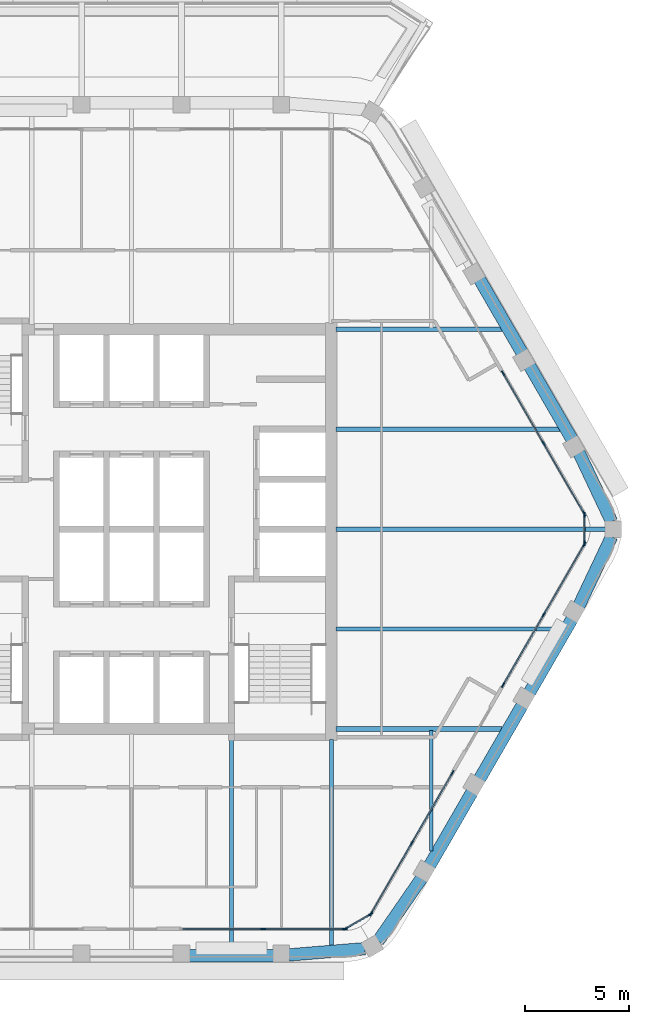
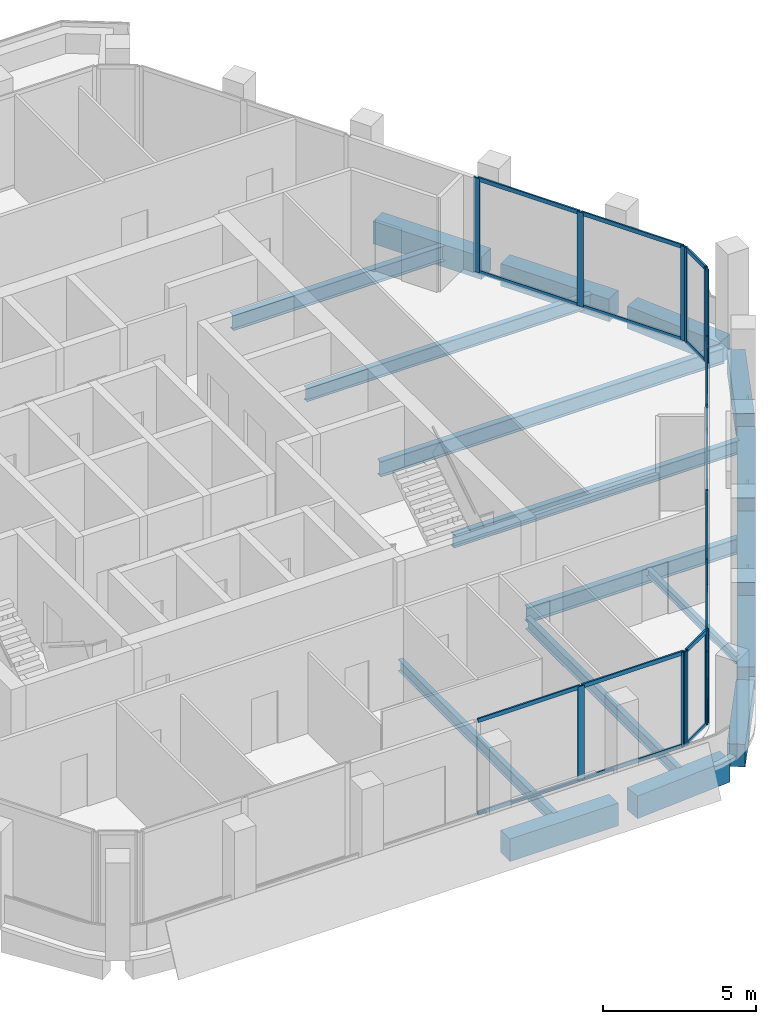
# One storey, part 4 of 16: 35 members, 18 beams, 6 elements without a shape of their own.
"""IFC4 building model written with IfcOpenShell, lengths in metres."""

from ifc_helpers import new_model, si_unit, direction, frame, origin, origin_2d, place, context, subcontext, project, spatial, rectangle, i_section, extrude, material, material_profile, profile_set, type_object, element, aggregate, save


model = new_model("IFC4")

# Units and contexts
model_context = context("Model", 3, precision=1e-05, world=origin(), true_north=direction((0.0, 1.0)))
body_context = subcontext(model_context, "Body", "Model", "MODEL_VIEW")
ifc_project = project(units=[si_unit("LENGTHUNIT", "METRE"), si_unit("AREAUNIT", "SQUARE_METRE"), si_unit("VOLUMEUNIT", "CUBIC_METRE"), si_unit("PLANEANGLEUNIT", "RADIAN"), si_unit("MASSUNIT", "GRAM", prefix="KILO")], contexts=[model_context])

# Site, building, storey
site_placement = place(None, origin())
site = spatial("IfcSite", under=ifc_project, at=site_placement, CompositionType="ELEMENT")
building_placement = place(site_placement, origin())
building = spatial("IfcBuilding", under=site, at=building_placement, Name="Kolab Exchange Tower", CompositionType="ELEMENT")
storey_placement = place(building_placement, frame((0.0, 0.0, 254.0)))
storey = spatial("IfcBuildingStorey", under=building, at=storey_placement, Name="L56", CompositionType="ELEMENT", Elevation=254.0)

# Beams
ifc_material_1 = material(Name="Steel S355", Category="steel")
ifc_material_profile_1 = material_profile(ifc_material_1, i_section(OverallWidth=0.1650390625, OverallDepth=0.31005859375, WebThickness=0.005859375, FlangeThickness=0.009765625, at=origin_2d()), Name="W310X39")
ifc_profile_set_1 = profile_set([ifc_material_profile_1], Name="Steel S355")
beam_type_1 = type_object("IfcBeamType", Name="FLOOR BEAM W310X39", PredefinedType="BEAM", material=ifc_profile_set_1)
beam_1_placement = place(storey_placement, frame((14.39990234375, -15.4677734375, -0.304931640625), z_axis=(0.0, 1.0, 0.0), x_axis=(-1.0, 0.0, 0.0)))
element("IfcBeam", 1, at=beam_1_placement, inside=storey, type_object=beam_type_1, Name="beam/L56/fr/023", PredefinedType="BEAM", context=body_context, shape_type="SweptSolid", body=[
    extrude(i_section(OverallWidth=0.1650390625, OverallDepth=0.31005859375, WebThickness=0.005859375, FlangeThickness=0.009765625, at=origin_2d()), origin(), (0.0, 0.0, 1.0), 5.793701171875),
])
ifc_material_profile_2 = material_profile(ifc_material_1, i_section(OverallWidth=0.18994140625, OverallDepth=0.45703125, WebThickness=0.009033203125, FlangeThickness=0.014404296875, at=origin_2d()), Name="W460X74")
ifc_profile_set_2 = profile_set([ifc_material_profile_2], Name="Steel S355")
beam_type_2 = type_object("IfcBeamType", Name="FLOOR BEAM W460X74", PredefinedType="BEAM", material=ifc_profile_set_2)
beam_2_placement = place(storey_placement, frame((4.800048828125, -20.224609375, -0.37841796875), z_axis=(0.0, 1.0, 0.0), x_axis=(-1.0, 0.0, 0.0)))
element("IfcBeam", 2, at=beam_2_placement, inside=storey, type_object=beam_type_2, Name="beam/L56/fr/016", PredefinedType="BEAM", context=body_context, shape_type="SweptSolid", body=[
    extrude(i_section(OverallWidth=0.18994140625, OverallDepth=0.45703125, WebThickness=0.009033203125, FlangeThickness=0.014404296875, at=origin_2d()), origin(), (0.0, 0.0, 1.0), 10.114501953125),
])
beam_3_placement = place(storey_placement, frame((9.60009765625, -20.027099609375, -0.37841796875), z_axis=(0.0, 1.0, 0.0), x_axis=(-1.0, 0.0, 0.0)))
element("IfcBeam", 3, at=beam_3_placement, inside=storey, type_object=beam_type_2, Name="beam/L56/fr/018", PredefinedType="BEAM", context=body_context, shape_type="SweptSolid", body=[
    extrude(i_section(OverallWidth=0.18994140625, OverallDepth=0.45703125, WebThickness=0.009033203125, FlangeThickness=0.014404296875, at=origin_2d()), origin(), (0.0, 0.0, 1.0), 9.9169921875),
])
ifc_material_profile_3 = material_profile(ifc_material_1, i_section(OverallWidth=0.208984375, OverallDepth=0.532958984375, WebThickness=0.01025390625, FlangeThickness=0.015625, at=origin_2d()), Name="W530X92")
ifc_profile_set_3 = profile_set([ifc_material_profile_3], Name="Steel S355")
beam_type_3 = type_object("IfcBeamType", Name="FLOOR BEAM W530X92", PredefinedType="BEAM", material=ifc_profile_set_3)
for number, where, z_axis, x_axis, name in (
    (4, (9.8349609375, -4.800048828125, -0.41650390625), (1.0, 0.0, 0.0), (0.0, 1.0, 0.0), "beam/L56/fr/020"),
    (5, (9.8349609375, 4.800048828125, -0.41650390625), (1.0, 0.0, 0.0), (0.0, 1.0, 0.0), "beam/L56/fr/022"),
):
    element("IfcBeam", number, at=place(storey_placement, frame(where, z_axis=z_axis, x_axis=x_axis)), inside=storey, type_object=beam_type_3, Name=name, PredefinedType="BEAM", context=body_context, shape_type="SweptSolid", body=[
        extrude(i_section(OverallWidth=0.208984375, OverallDepth=0.532958984375, WebThickness=0.01025390625, FlangeThickness=0.015625, at=origin_2d()), origin(), (0.0, 0.0, 1.0), 10.740966796875),
    ])
ifc_material_profile_4 = material_profile(ifc_material_1, i_section(OverallWidth=0.22802734375, OverallDepth=0.60791015625, WebThickness=0.01123046875, FlangeThickness=0.017333984375, at=origin_2d()), Name="W610X113")
ifc_profile_set_4 = profile_set([ifc_material_profile_4], Name="Steel S355")
beam_type_4 = type_object("IfcBeamType", Name="FLOOR BEAM W610X113", PredefinedType="BEAM", material=ifc_profile_set_4)
beam_4_placement = place(storey_placement, frame((9.8349609375, 0.0, -0.4541015625), z_axis=(1.0, 0.0, 0.0), x_axis=(0.0, 1.0, 0.0)))
element("IfcBeam", 6, at=beam_4_placement, inside=storey, type_object=beam_type_4, Name="beam/L56/fr/021", PredefinedType="BEAM", context=body_context, shape_type="SweptSolid", body=[
    extrude(i_section(OverallWidth=0.22802734375, OverallDepth=0.60791015625, WebThickness=0.01123046875, FlangeThickness=0.017333984375, at=origin_2d()), origin(), (0.0, 0.0, 1.0), 12.94091796875),
])
ifc_material_profile_5 = material_profile(ifc_material_1, i_section(OverallWidth=0.22802734375, OverallDepth=0.60791015625, WebThickness=0.01123046875, FlangeThickness=0.017333984375, at=origin_2d()), Name="W610X113")
ifc_profile_set_5 = profile_set([ifc_material_profile_5], Name="Steel S355")
beam_type_5 = type_object("IfcBeamType", Name="FLOOR GIRDER W610X113", PredefinedType="BEAM", material=ifc_profile_set_5)
for number, where, z_axis, x_axis, name in (
    (7, (9.8349609375, -9.60009765625, -0.4541015625), (1.0, 0.0, 0.0), (0.0, 1.0, 0.0), "beam/L56/gd/002"),
    (8, (9.8349609375, 9.60009765625, -0.4541015625), (1.0, 0.0, 0.0), (0.0, 1.0, 0.0), "beam/L56/gd/003"),
):
    element("IfcBeam", number, at=place(storey_placement, frame(where, z_axis=z_axis, x_axis=x_axis)), inside=storey, type_object=beam_type_5, Name=name, PredefinedType="BEAM", context=body_context, shape_type="SweptSolid", body=[
        extrude(i_section(OverallWidth=0.22802734375, OverallDepth=0.60791015625, WebThickness=0.01123046875, FlangeThickness=0.017333984375, at=origin_2d()), origin(), (0.0, 0.0, 1.0), 7.9697265625),
    ])
ifc_material_2 = material(Name="Concrete C50/60", Category="concrete")
ifc_material_profile_6 = material_profile(ifc_material_2, rectangle(XDim=0.60009765625, YDim=0.89990234375, at=origin_2d()), Name="RC600X900")
ifc_profile_set_6 = profile_set([ifc_material_profile_6], Name="Concrete C50/60")
beam_type_6 = type_object("IfcBeamType", Name="SPANDREL BEAM 600X900 C50/60", PredefinedType="BEAM", material=ifc_profile_set_6)
for number, where, z_axis, x_axis, name in (
    (9, (16.72021484375, 12.009033203125, -0.60009765625), (0.500000428765, -0.866025156237, 0.0), (0.866025156237, 0.500000428765, 0.0), "beam/L56/sp/F2-03"),
    (10, (19.1201171875, 7.85205078125, -0.60009765625), (0.500000428765, -0.866025156237, 0.0), (0.866025156237, 0.500000428765, 0.0), "beam/L56/sp/F2-04"),
):
    element("IfcBeam", number, at=place(storey_placement, frame(where, z_axis=z_axis, x_axis=x_axis)), inside=storey, type_object=beam_type_6, Name=name, PredefinedType="BEAM", context=body_context, shape_type="SweptSolid", body=[
        extrude(rectangle(XDim=0.60009765625, YDim=0.89990234375, at=origin_2d()), origin(), (0.0, 0.0, 1.0), 4.080078125),
    ])
for number, where, z_axis, x_axis, name in (
    (11, (21.49462890625, 3.68017578125, -0.60009765625), (0.427677251998, -0.903931506323, 0.0), (0.903931506323, 0.427677251998, 0.0), "beam/L56/sp/F2-05"),
    (12, (23.063720703125, -0.36376953125, -0.60009765625), (-0.427677251998, -0.903931506323, 0.0), (0.903931506323, -0.427677251998, 0.0), "beam/L56/sp/F3-01"),
):
    element("IfcBeam", number, at=place(storey_placement, frame(where, z_axis=z_axis, x_axis=x_axis)), inside=storey, type_object=beam_type_6, Name=name, PredefinedType="BEAM", context=body_context, shape_type="SweptSolid", body=[
        extrude(rectangle(XDim=0.60009765625, YDim=0.89990234375, at=origin_2d()), origin(), (0.0, 0.0, 1.0), 3.6689453125),
    ])
for number, where, z_axis, x_axis, name in (
    (13, (21.16015625, -4.318603515625, -0.60009765625), (-0.500000428765, -0.866025156237, 0.0), (0.866025156237, -0.500000428765, 0.0), "beam/L56/sp/F3-02"),
    (14, (18.76025390625, -8.4755859375, -0.60009765625), (-0.500000428765, -0.866025156237, 0.0), (0.866025156237, -0.500000428765, 0.0), "beam/L56/sp/F3-03"),
):
    element("IfcBeam", number, at=place(storey_placement, frame(where, z_axis=z_axis, x_axis=x_axis)), inside=storey, type_object=beam_type_6, Name=name, PredefinedType="BEAM", context=body_context, shape_type="SweptSolid", body=[
        extrude(rectangle(XDim=0.60009765625, YDim=0.89990234375, at=origin_2d()), origin(), (0.0, 0.0, 1.0), 4.080078125),
    ])
beam_5_placement = place(storey_placement, frame((16.360107421875, -12.632568359375, -0.60009765625), z_axis=(-0.499955548806, -0.866051066172, 0.0), x_axis=(0.866051066172, -0.499955548806, 0.0)))
element("IfcBeam", 15, at=beam_5_placement, inside=storey, type_object=beam_type_6, Name="beam/L56/sp/F3-04", PredefinedType="BEAM", context=body_context, shape_type="SweptSolid", body=[
    extrude(rectangle(XDim=0.60009765625, YDim=0.89990234375, at=origin_2d()), origin(), (0.0, 0.0, 1.0), 4.079833984375),
])
for number, where, z_axis, x_axis, name in (
    (16, (13.9345703125, -16.77490234375, -0.60009765625), (-0.569005808573, -0.822333502789, 0.0), (0.822333502789, -0.569005808573, 0.0), "beam/L56/sp/F3-05"),
    (17, (11.216796875, -20.15576171875, -0.60009765625), (-0.996666751878, -0.081580547323, 0.0), (0.081580547323, -0.996666751878, 0.0), "beam/L56/sp/F4-01"),
):
    element("IfcBeam", number, at=place(storey_placement, frame(where, z_axis=z_axis, x_axis=x_axis)), inside=storey, type_object=beam_type_6, Name=name, PredefinedType="BEAM", context=body_context, shape_type="SweptSolid", body=[
        extrude(rectangle(XDim=0.60009765625, YDim=0.89990234375, at=origin_2d()), origin(), (0.0, 0.0, 1.0), 3.6689453125),
    ])
beam_6_placement = place(storey_placement, frame((6.840087890625, -20.484619140625, -0.60009765625), z_axis=(-1.0, 0.0, 0.0), x_axis=(0.0, -1.0, 0.0)))
element("IfcBeam", 18, at=beam_6_placement, inside=storey, type_object=beam_type_6, Name="beam/L56/sp/F4-02", PredefinedType="BEAM", context=body_context, shape_type="SweptSolid", body=[
    extrude(rectangle(XDim=0.60009765625, YDim=0.89990234375, at=origin_2d()), origin(), (0.0, 0.0, 1.0), 4.080078125),
])

# Curtain wall, members
ifc_material_3 = material(Name="Aluminium EN AW-6063 T6", Category="aluminium")
curtain_wall_type = type_object("IfcCurtainWallType", Name="UNITISED HIGH ZONE CURTAIN WALL", PredefinedType="NOTDEFINED", material=ifc_material_3)
curtain_wall_1_placement = place(storey_placement, origin())
curtain_wall_1 = element("IfcCurtainWall", 19, at=curtain_wall_1_placement, inside=storey, type_object=curtain_wall_type, Name="cw/L56/F2-2", PredefinedType="NOTDEFINED")
ifc_material_profile_7 = material_profile(ifc_material_3, rectangle(XDim=0.06005859375, YDim=0.239990234375, at=origin_2d()), Name="RECT 60X240")
ifc_profile_set_7 = profile_set([ifc_material_profile_7], Name="Aluminium EN AW-6063 T6")
member_type_1 = type_object("IfcMemberType", Name="UNITISED HIGH ZONE MULLION 60 X 240", PredefinedType="MULLION", material=ifc_profile_set_7)
member_1_placement = place(storey_placement, frame((17.8466796875, 7.497802734375, 0.0), z_axis=(0.0, 0.0, 1.0), x_axis=(0.866025440524, 0.499999936366, 0.0)))
member_1 = element("IfcMember", 20, at=member_1_placement, type_object=member_type_1, Name="CW4 mullion 1", PredefinedType="MULLION", context=body_context, shape_type="SweptSolid", body=[
    extrude(rectangle(XDim=0.06005859375, YDim=0.239990234375, at=origin_2d()), origin(), (0.0, 0.0, 1.0), 3.75),
])
member_2_placement = place(storey_placement, frame((19.798583984375, 4.116943359375, 0.0), z_axis=(0.0, 0.0, 1.0), x_axis=(0.866025440524, 0.499999936366, 0.0)))
member_2 = element("IfcMember", 21, at=member_2_placement, type_object=member_type_1, Name="CW4 mullion 2", PredefinedType="MULLION", context=body_context, shape_type="SweptSolid", body=[
    extrude(rectangle(XDim=0.06005859375, YDim=0.239990234375, at=origin_2d()), origin(), (0.0, 0.0, 1.0), 3.75),
])
member_3_placement = place(storey_placement, frame((21.750732421875, 0.736083984375, 0.0), z_axis=(0.0, 0.0, 1.0), x_axis=(0.866025440524, 0.499999936366, 0.0)))
member_3 = element("IfcMember", 22, at=member_3_placement, type_object=member_type_1, Name="CW4 mullion 3", PredefinedType="MULLION", context=body_context, shape_type="SweptSolid", body=[
    extrude(rectangle(XDim=0.06005859375, YDim=0.239990234375, at=origin_2d()), origin(), (0.0, 0.0, 1.0), 3.75),
])

curtain_wall_2_placement = place(storey_placement, origin())
curtain_wall_2 = element("IfcCurtainWall", 23, at=curtain_wall_2_placement, inside=storey, type_object=curtain_wall_type, Name="cw/L56/F3-1", PredefinedType="NOTDEFINED")
member_4_placement = place(storey_placement, frame((21.750732421875, -0.736083984375, 0.0), z_axis=(0.0, 0.0, 1.0), x_axis=(0.866025440524, -0.499999936366, 0.0)))
member_4 = element("IfcMember", 24, at=member_4_placement, type_object=member_type_1, Name="CW4 mullion 1", PredefinedType="MULLION", context=body_context, shape_type="SweptSolid", body=[
    extrude(rectangle(XDim=0.06005859375, YDim=0.239990234375, at=origin_2d()), origin(), (0.0, 0.0, 1.0), 3.75),
])
member_5_placement = place(storey_placement, frame((19.798583984375, -4.116943359375, 0.0), z_axis=(0.0, 0.0, 1.0), x_axis=(0.866025440524, -0.499999936366, 0.0)))
member_5 = element("IfcMember", 25, at=member_5_placement, type_object=member_type_1, Name="CW4 mullion 2", PredefinedType="MULLION", context=body_context, shape_type="SweptSolid", body=[
    extrude(rectangle(XDim=0.06005859375, YDim=0.239990234375, at=origin_2d()), origin(), (0.0, 0.0, 1.0), 3.75),
])
member_6_placement = place(storey_placement, frame((17.8466796875, -7.497802734375, 0.0), z_axis=(0.0, 0.0, 1.0), x_axis=(0.866025440524, -0.499999936366, 0.0)))
member_6 = element("IfcMember", 26, at=member_6_placement, type_object=member_type_1, Name="CW4 mullion 3", PredefinedType="MULLION", context=body_context, shape_type="SweptSolid", body=[
    extrude(rectangle(XDim=0.06005859375, YDim=0.239990234375, at=origin_2d()), origin(), (0.0, 0.0, 1.0), 3.75),
])

curtain_wall_3_placement = place(storey_placement, origin())
curtain_wall_3 = element("IfcCurtainWall", 27, at=curtain_wall_3_placement, inside=storey, type_object=curtain_wall_type, Name="cw/L56/F3-2", PredefinedType="NOTDEFINED")
member_7_placement = place(storey_placement, frame((15.416748046875, -11.706787109375, 0.0), z_axis=(0.0, 0.0, 1.0), x_axis=(0.866025385493, -0.500000031681, 0.0)))
member_7 = element("IfcMember", 28, at=member_7_placement, type_object=member_type_1, Name="CW4 mullion 1", PredefinedType="MULLION", context=body_context, shape_type="SweptSolid", body=[
    extrude(rectangle(XDim=0.06005859375, YDim=0.239990234375, at=origin_2d()), origin(), (0.0, 0.0, 1.0), 3.75),
])
member_8_placement = place(storey_placement, frame((13.464599609375, -15.087646484375, 0.0), z_axis=(0.0, 0.0, 1.0), x_axis=(0.866025385493, -0.500000031681, 0.0)))
member_8 = element("IfcMember", 29, at=member_8_placement, type_object=member_type_1, Name="CW4 mullion 2", PredefinedType="MULLION", context=body_context, shape_type="SweptSolid", body=[
    extrude(rectangle(XDim=0.06005859375, YDim=0.239990234375, at=origin_2d()), origin(), (0.0, 0.0, 1.0), 3.75),
])
member_9_placement = place(storey_placement, frame((11.5126953125, -18.46875, 0.0), z_axis=(0.0, 0.0, 1.0), x_axis=(0.866025385493, -0.500000031681, 0.0)))
member_9 = element("IfcMember", 30, at=member_9_placement, type_object=member_type_1, Name="CW4 mullion 3", PredefinedType="MULLION", context=body_context, shape_type="SweptSolid", body=[
    extrude(rectangle(XDim=0.06005859375, YDim=0.239990234375, at=origin_2d()), origin(), (0.0, 0.0, 1.0), 3.75),
])

curtain_wall_4_placement = place(storey_placement, origin())
curtain_wall_4 = element("IfcCurtainWall", 31, at=curtain_wall_4_placement, inside=storey, type_object=curtain_wall_type, Name="cw/L56/F4-1", PredefinedType="NOTDEFINED")
member_10_placement = place(storey_placement, frame((10.238037109375, -19.20458984375, 0.0), z_axis=(0.0, 0.0, 1.0), x_axis=(0.0, -1.0, 0.0)))
member_10 = element("IfcMember", 32, at=member_10_placement, type_object=member_type_1, Name="CW4 mullion 1", PredefinedType="MULLION", context=body_context, shape_type="SweptSolid", body=[
    extrude(rectangle(XDim=0.06005859375, YDim=0.239990234375, at=origin_2d()), origin(), (0.0, 0.0, 1.0), 3.75),
])
member_11_placement = place(storey_placement, frame((6.333984375, -19.20458984375, 0.0), z_axis=(0.0, 0.0, 1.0), x_axis=(0.0, -1.0, 0.0)))
member_11 = element("IfcMember", 33, at=member_11_placement, type_object=member_type_1, Name="CW4 mullion 2", PredefinedType="MULLION", context=body_context, shape_type="SweptSolid", body=[
    extrude(rectangle(XDim=0.06005859375, YDim=0.239990234375, at=origin_2d()), origin(), (0.0, 0.0, 1.0), 3.75),
])

curtain_wall_5_placement = place(storey_placement, origin())
curtain_wall_5 = element("IfcCurtainWall", 34, at=curtain_wall_5_placement, inside=storey, type_object=curtain_wall_type, Name="cw/L56/F2F3-corner", PredefinedType="NOTDEFINED")
member_12_placement = place(storey_placement, frame((21.765625, 0.679931640625, 0.0), z_axis=(0.0, 0.0, 1.0), x_axis=(1.0, 0.0, 0.0)))
member_12 = element("IfcMember", 35, at=member_12_placement, type_object=member_type_1, Name="CW4 mullion 1", PredefinedType="MULLION", context=body_context, shape_type="SweptSolid", body=[
    extrude(rectangle(XDim=0.06005859375, YDim=0.239990234375, at=origin_2d()), origin(), (0.0, 0.0, 1.0), 3.75),
])
member_13_placement = place(storey_placement, frame((21.765625, -0.679931640625, 0.0), z_axis=(0.0, 0.0, 1.0), x_axis=(1.0, 0.0, 0.0)))
member_13 = element("IfcMember", 36, at=member_13_placement, type_object=member_type_1, Name="CW4 mullion 2", PredefinedType="MULLION", context=body_context, shape_type="SweptSolid", body=[
    extrude(rectangle(XDim=0.06005859375, YDim=0.239990234375, at=origin_2d()), origin(), (0.0, 0.0, 1.0), 3.75),
])

curtain_wall_6_placement = place(storey_placement, origin())
curtain_wall_6 = element("IfcCurtainWall", 37, at=curtain_wall_6_placement, inside=storey, type_object=curtain_wall_type, Name="cw/L56/F3F4-corner", PredefinedType="NOTDEFINED")
member_14_placement = place(storey_placement, frame((11.4716796875, -18.509521484375, 0.0), z_axis=(0.0, 0.0, 1.0), x_axis=(0.50000002237, -0.866025390869, 0.0)))
member_14 = element("IfcMember", 38, at=member_14_placement, type_object=member_type_1, Name="CW4 mullion 1", PredefinedType="MULLION", context=body_context, shape_type="SweptSolid", body=[
    extrude(rectangle(XDim=0.06005859375, YDim=0.239990234375, at=origin_2d()), origin(), (0.0, 0.0, 1.0), 3.75),
])
member_15_placement = place(storey_placement, frame((10.2939453125, -19.189697265625, 0.0), z_axis=(0.0, 0.0, 1.0), x_axis=(0.50000002237, -0.866025390869, 0.0)))
member_15 = element("IfcMember", 39, at=member_15_placement, type_object=member_type_1, Name="CW4 mullion 2", PredefinedType="MULLION", context=body_context, shape_type="SweptSolid", body=[
    extrude(rectangle(XDim=0.06005859375, YDim=0.239990234375, at=origin_2d()), origin(), (0.0, 0.0, 1.0), 3.75),
])

# Member
ifc_material_profile_8 = material_profile(ifc_material_3, rectangle(XDim=0.06005859375, YDim=0.159912109375, at=origin_2d()), Name="RECT 60X160")
ifc_profile_set_8 = profile_set([ifc_material_profile_8], Name="Aluminium EN AW-6063 T6")
member_type_2 = type_object("IfcMemberType", Name="UNITISED HIGH ZONE TRANSOM 60 X 160", PredefinedType="USERDEFINED", material=ifc_profile_set_8)
member_16_placement = place(storey_placement, frame((17.861572265625, 7.471923828125, 0.030029296875), z_axis=(0.500011990396, -0.866018481016, 0.0), x_axis=(0.866018481016, 0.500011990396, 0.0)))
member_16 = element("IfcMember", 40, at=member_16_placement, type_object=member_type_2, Name="CW4 transom 1.1", ObjectType="TRANSOM", PredefinedType="USERDEFINED", context=body_context, shape_type="SweptSolid", body=[
    extrude(rectangle(XDim=0.06005859375, YDim=0.159912109375, at=origin_2d()), origin(), (0.0, 0.0, 1.0), 3.84423828125),
])

member_17_placement = place(storey_placement, frame((17.861572265625, 7.471923828125, 3.719970703125), z_axis=(0.500011990396, -0.866018481016, 0.0), x_axis=(0.866018481016, 0.500011990396, 0.0)))
member_17 = element("IfcMember", 41, at=member_17_placement, type_object=member_type_2, Name="CW4 transom 1.2", ObjectType="TRANSOM", PredefinedType="USERDEFINED", context=body_context, shape_type="SweptSolid", body=[
    extrude(rectangle(XDim=0.06005859375, YDim=0.159912109375, at=origin_2d()), origin(), (0.0, 0.0, 1.0), 3.84423828125),
])

member_18_placement = place(storey_placement, frame((19.813720703125, 4.0908203125, 0.030029296875), z_axis=(0.499991857942, -0.866030104553, 0.0), x_axis=(0.866030104553, 0.499991857942, 0.0)))
member_18 = element("IfcMember", 42, at=member_18_placement, type_object=member_type_2, Name="CW4 transom 2.1", ObjectType="TRANSOM", PredefinedType="USERDEFINED", context=body_context, shape_type="SweptSolid", body=[
    extrude(rectangle(XDim=0.06005859375, YDim=0.159912109375, at=origin_2d()), origin(), (0.0, 0.0, 1.0), 3.84375),
])

member_19_placement = place(storey_placement, frame((19.813720703125, 4.0908203125, 3.719970703125), z_axis=(0.499991857942, -0.866030104553, 0.0), x_axis=(0.866030104553, 0.499991857942, 0.0)))
member_19 = element("IfcMember", 43, at=member_19_placement, type_object=member_type_2, Name="CW4 transom 2.2", ObjectType="TRANSOM", PredefinedType="USERDEFINED", context=body_context, shape_type="SweptSolid", body=[
    extrude(rectangle(XDim=0.06005859375, YDim=0.159912109375, at=origin_2d()), origin(), (0.0, 0.0, 1.0), 3.84375),
])

aggregate(curtain_wall_1, [member_1, member_2, member_3, member_16, member_17, member_18, member_19])

member_20_placement = place(storey_placement, frame((21.735595703125, -0.761962890625, 0.030029296875), z_axis=(-0.499991857942, -0.866030104553, 0.0), x_axis=(0.866030104553, -0.499991857942, 0.0)))
member_20 = element("IfcMember", 44, at=member_20_placement, type_object=member_type_2, Name="CW4 transom 1.1", ObjectType="TRANSOM", PredefinedType="USERDEFINED", context=body_context, shape_type="SweptSolid", body=[
    extrude(rectangle(XDim=0.06005859375, YDim=0.159912109375, at=origin_2d()), origin(), (0.0, 0.0, 1.0), 3.84375),
])

member_21_placement = place(storey_placement, frame((21.735595703125, -0.761962890625, 3.719970703125), z_axis=(-0.499991857942, -0.866030104553, 0.0), x_axis=(0.866030104553, -0.499991857942, 0.0)))
member_21 = element("IfcMember", 45, at=member_21_placement, type_object=member_type_2, Name="CW4 transom 1.2", ObjectType="TRANSOM", PredefinedType="USERDEFINED", context=body_context, shape_type="SweptSolid", body=[
    extrude(rectangle(XDim=0.06005859375, YDim=0.159912109375, at=origin_2d()), origin(), (0.0, 0.0, 1.0), 3.84375),
])

member_22_placement = place(storey_placement, frame((19.78369140625, -4.142822265625, 0.030029296875), z_axis=(-0.500011990396, -0.866018481016, 0.0), x_axis=(0.866018481016, -0.500011990396, 0.0)))
member_22 = element("IfcMember", 46, at=member_22_placement, type_object=member_type_2, Name="CW4 transom 2.1", ObjectType="TRANSOM", PredefinedType="USERDEFINED", context=body_context, shape_type="SweptSolid", body=[
    extrude(rectangle(XDim=0.06005859375, YDim=0.159912109375, at=origin_2d()), origin(), (0.0, 0.0, 1.0), 3.84423828125),
])

member_23_placement = place(storey_placement, frame((19.78369140625, -4.142822265625, 3.719970703125), z_axis=(-0.500011990396, -0.866018481016, 0.0), x_axis=(0.866018481016, -0.500011990396, 0.0)))
member_23 = element("IfcMember", 47, at=member_23_placement, type_object=member_type_2, Name="CW4 transom 2.2", ObjectType="TRANSOM", PredefinedType="USERDEFINED", context=body_context, shape_type="SweptSolid", body=[
    extrude(rectangle(XDim=0.06005859375, YDim=0.159912109375, at=origin_2d()), origin(), (0.0, 0.0, 1.0), 3.84423828125),
])

aggregate(curtain_wall_2, [member_4, member_5, member_6, member_20, member_21, member_22, member_23])

member_24_placement = place(storey_placement, frame((15.401611328125, -11.732666015625, 0.030029296875), z_axis=(-0.499964356602, -0.866045981532, 0.0), x_axis=(0.866045981532, -0.499964356602, 0.0)))
member_24 = element("IfcMember", 48, at=member_24_placement, type_object=member_type_2, Name="CW4 transom 1.1", ObjectType="TRANSOM", PredefinedType="USERDEFINED", context=body_context, shape_type="SweptSolid", body=[
    extrude(rectangle(XDim=0.06005859375, YDim=0.159912109375, at=origin_2d()), origin(), (0.0, 0.0, 1.0), 3.843994140625),
])

member_25_placement = place(storey_placement, frame((15.401611328125, -11.732666015625, 3.719970703125), z_axis=(-0.499964356602, -0.866045981532, 0.0), x_axis=(0.866045981532, -0.499964356602, 0.0)))
member_25 = element("IfcMember", 49, at=member_25_placement, type_object=member_type_2, Name="CW4 transom 1.2", ObjectType="TRANSOM", PredefinedType="USERDEFINED", context=body_context, shape_type="SweptSolid", body=[
    extrude(rectangle(XDim=0.06005859375, YDim=0.159912109375, at=origin_2d()), origin(), (0.0, 0.0, 1.0), 3.843994140625),
])

member_26_placement = place(storey_placement, frame((13.44970703125, -15.11376953125, 0.030029296875), z_axis=(-0.500039492609, -0.866002601515, 0.0), x_axis=(0.866002601515, -0.500039492609, 0.0)))
member_26 = element("IfcMember", 50, at=member_26_placement, type_object=member_type_2, Name="CW4 transom 2.1", ObjectType="TRANSOM", PredefinedType="USERDEFINED", context=body_context, shape_type="SweptSolid", body=[
    extrude(rectangle(XDim=0.06005859375, YDim=0.159912109375, at=origin_2d()), origin(), (0.0, 0.0, 1.0), 3.843994140625),
])

member_27_placement = place(storey_placement, frame((13.44970703125, -15.11376953125, 3.719970703125), z_axis=(-0.500039492609, -0.866002601515, 0.0), x_axis=(0.866002601515, -0.500039492609, 0.0)))
member_27 = element("IfcMember", 51, at=member_27_placement, type_object=member_type_2, Name="CW4 transom 2.2", ObjectType="TRANSOM", PredefinedType="USERDEFINED", context=body_context, shape_type="SweptSolid", body=[
    extrude(rectangle(XDim=0.06005859375, YDim=0.159912109375, at=origin_2d()), origin(), (0.0, 0.0, 1.0), 3.843994140625),
])

aggregate(curtain_wall_3, [member_7, member_8, member_9, member_24, member_25, member_26, member_27])

member_28_placement = place(storey_placement, frame((10.2080078125, -19.20458984375, 0.030029296875), z_axis=(-1.0, 0.0, 0.0), x_axis=(0.0, -1.0, 0.0)))
member_28 = element("IfcMember", 52, at=member_28_placement, type_object=member_type_2, Name="CW4 transom 1.1", ObjectType="TRANSOM", PredefinedType="USERDEFINED", context=body_context, shape_type="SweptSolid", body=[
    extrude(rectangle(XDim=0.06005859375, YDim=0.159912109375, at=origin_2d()), origin(), (0.0, 0.0, 1.0), 3.843994140625),
])

member_29_placement = place(storey_placement, frame((10.2080078125, -19.20458984375, 3.719970703125), z_axis=(-1.0, 0.0, 0.0), x_axis=(0.0, -1.0, 0.0)))
member_29 = element("IfcMember", 53, at=member_29_placement, type_object=member_type_2, Name="CW4 transom 1.2", ObjectType="TRANSOM", PredefinedType="USERDEFINED", context=body_context, shape_type="SweptSolid", body=[
    extrude(rectangle(XDim=0.06005859375, YDim=0.159912109375, at=origin_2d()), origin(), (0.0, 0.0, 1.0), 3.843994140625),
])

member_30_placement = place(storey_placement, frame((6.303955078125, -19.20458984375, 0.030029296875), z_axis=(-1.0, 0.0, 0.0), x_axis=(0.0, -1.0, 0.0)))
member_30 = element("IfcMember", 54, at=member_30_placement, type_object=member_type_2, Name="CW4 transom 2.1", ObjectType="TRANSOM", PredefinedType="USERDEFINED", context=body_context, shape_type="SweptSolid", body=[
    extrude(rectangle(XDim=0.06005859375, YDim=0.159912109375, at=origin_2d()), origin(), (0.0, 0.0, 1.0), 3.843994140625),
])

member_31_placement = place(storey_placement, frame((6.303955078125, -19.20458984375, 3.719970703125), z_axis=(-1.0, 0.0, 0.0), x_axis=(0.0, -1.0, 0.0)))
member_31 = element("IfcMember", 55, at=member_31_placement, type_object=member_type_2, Name="CW4 transom 2.2", ObjectType="TRANSOM", PredefinedType="USERDEFINED", context=body_context, shape_type="SweptSolid", body=[
    extrude(rectangle(XDim=0.06005859375, YDim=0.159912109375, at=origin_2d()), origin(), (0.0, 0.0, 1.0), 3.843994140625),
])

aggregate(curtain_wall_4, [member_10, member_11, member_28, member_29, member_30, member_31])

member_32_placement = place(storey_placement, frame((21.765625, 0.64990234375, 0.030029296875), z_axis=(0.0, -1.0, 0.0), x_axis=(1.0, 0.0, 0.0)))
member_32 = element("IfcMember", 56, at=member_32_placement, type_object=member_type_2, Name="CW4 transom 1.1", ObjectType="TRANSOM", PredefinedType="USERDEFINED", context=body_context, shape_type="SweptSolid", body=[
    extrude(rectangle(XDim=0.06005859375, YDim=0.159912109375, at=origin_2d()), origin(), (0.0, 0.0, 1.0), 1.2998046875),
])

member_33_placement = place(storey_placement, frame((21.765625, 0.64990234375, 3.719970703125), z_axis=(0.0, -1.0, 0.0), x_axis=(1.0, 0.0, 0.0)))
member_33 = element("IfcMember", 57, at=member_33_placement, type_object=member_type_2, Name="CW4 transom 1.2", ObjectType="TRANSOM", PredefinedType="USERDEFINED", context=body_context, shape_type="SweptSolid", body=[
    extrude(rectangle(XDim=0.06005859375, YDim=0.159912109375, at=origin_2d()), origin(), (0.0, 0.0, 1.0), 1.2998046875),
])

aggregate(curtain_wall_5, [member_12, member_13, member_32, member_33])

member_34_placement = place(storey_placement, frame((11.44580078125, -18.524658203125, 0.030029296875), z_axis=(-0.866085525409, -0.49989585183, 0.0), x_axis=(0.49989585183, -0.866085525409, 0.0)))
member_34 = element("IfcMember", 58, at=member_34_placement, type_object=member_type_2, Name="CW4 transom 1.1", ObjectType="TRANSOM", PredefinedType="USERDEFINED", context=body_context, shape_type="SweptSolid", body=[
    extrude(rectangle(XDim=0.06005859375, YDim=0.159912109375, at=origin_2d()), origin(), (0.0, 0.0, 1.0), 1.300048828125),
])

member_35_placement = place(storey_placement, frame((11.44580078125, -18.524658203125, 3.719970703125), z_axis=(-0.866085525409, -0.49989585183, 0.0), x_axis=(0.49989585183, -0.866085525409, 0.0)))
member_35 = element("IfcMember", 59, at=member_35_placement, type_object=member_type_2, Name="CW4 transom 1.2", ObjectType="TRANSOM", PredefinedType="USERDEFINED", context=body_context, shape_type="SweptSolid", body=[
    extrude(rectangle(XDim=0.06005859375, YDim=0.159912109375, at=origin_2d()), origin(), (0.0, 0.0, 1.0), 1.300048828125),
])

aggregate(curtain_wall_6, [member_14, member_15, member_34, member_35])

save(model, "model.ifc")
